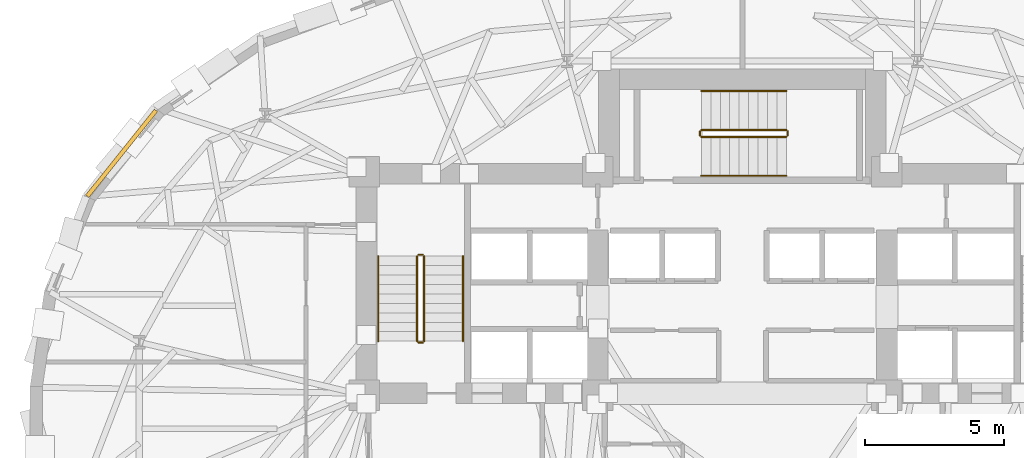
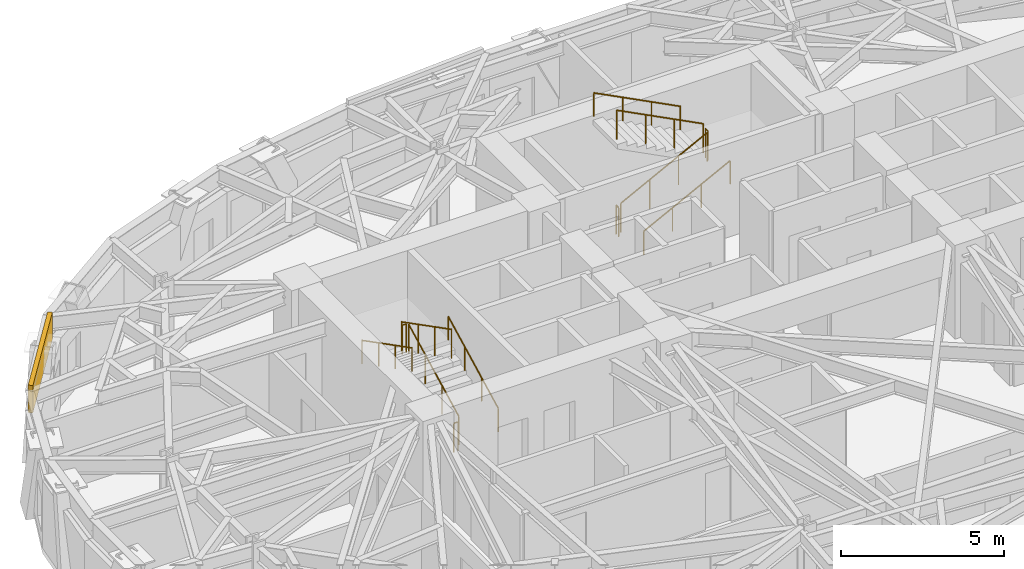
# One storey, part 12 of 14: 12 railings, 1 covering.
"""IFC4 building model written with IfcOpenShell, lengths in metres."""

from ifc_helpers import new_model, si_unit, direction, frame, origin, origin_2d, place, context, subcontext, project, spatial, rectangle, circle, extrude, material, layer, layer_set, type_object, element, save


model = new_model("IFC4")

# Units and contexts
model_context = context("Model", 3, precision=1e-05, world=origin(), true_north=direction((0.0, 1.0)))
body_context = subcontext(model_context, "Body", "Model", "MODEL_VIEW")
ifc_project = project(units=[si_unit("LENGTHUNIT", "METRE"), si_unit("AREAUNIT", "SQUARE_METRE"), si_unit("VOLUMEUNIT", "CUBIC_METRE"), si_unit("PLANEANGLEUNIT", "RADIAN"), si_unit("MASSUNIT", "GRAM", prefix="KILO")], contexts=[model_context])

# Site, building, storey
site_placement = place(None, origin())
site = spatial("IfcSite", under=ifc_project, at=site_placement, CompositionType="ELEMENT")
building_placement = place(site_placement, origin())
building = spatial("IfcBuilding", under=site, at=building_placement, Name="Keldmark Tower", CompositionType="ELEMENT")
storey_placement = place(building_placement, frame((0.0, 0.0, 128.10009765625)))
storey = spatial("IfcBuildingStorey", under=building, at=storey_placement, Name="L34", CompositionType="ELEMENT", Elevation=128.10009765625)

# Covering
ifc_material_1 = material(Name="Honed Kasota Buff Dolomitic Limestone", Category="masonry")
ifc_layer = layer(ifc_material_1, 0.074951171875)
ifc_layer_set = layer_set([ifc_layer], Name="Honed Kasota Buff Dolomitic Limestone")
covering_type = type_object("IfcCoveringType", Name="Kasota Buff Limestone Spandrel Cladding Band", PredefinedType="CLADDING", material=ifc_layer_set)
covering_placement = place(storey_placement, frame((-22.3349609375, 10.1083984375, 2.45166015625), z_axis=(0.0, 0.0, 1.0), x_axis=(-0.625160926426, -0.780495878317, 0.0)))
element("IfcCovering", 1, at=covering_placement, inside=storey, type_object=covering_type, Name="L34 Kasota Limestone Spandrel Band 13", PredefinedType="CLADDING", context=body_context, shape_type="SweptSolid", body=[
    extrude(rectangle(XDim=3.954345703125, YDim=0.14990234375, at=origin_2d()), origin(), (0.0, 0.0, 1.0), 1.028076171875),
])

# Railings
ifc_material_2 = material(Name="Painted Steel ASTM A500 Grade B", Category="steel")
railing_type_1 = type_object("IfcRailingType", Name="Painted Steel Stair Well Guard 1100 mm", PredefinedType="GUARDRAIL", material=ifc_material_2)
railing_1_placement = place(storey_placement, frame((-11.449951171875, 3.35009765625, 0.1748046875)))
element("IfcRailing", 2, at=railing_1_placement, inside=storey, type_object=railing_type_1, Name="L34 ST1 stair guard 1", PredefinedType="GUARDRAIL", context=body_context, shape_type="SweptSolid", body=[
    extrude(circle(Radius=0.02392578125, at=origin_2d()), frame((0.0, 0.0, 1.076171875), z_axis=(0.0, 0.889101422983, 0.457710235465), x_axis=(-1.0, 0.0, 0.0)), (0.0, 0.0, 1.0), 3.44140625),
    extrude(circle(Radius=0.02099609375, at=origin_2d()), origin(), (0.0, 0.0, 1.0), 1.052001953125),
    extrude(circle(Radius=0.02099609375, at=origin_2d()), frame((0.0, 1.02001953125, 0.525146484375)), (0.0, 0.0, 1.0), 1.052001953125),
    extrude(circle(Radius=0.02099609375, at=origin_2d()), frame((0.0, 2.039794921875, 1.050048828125)), (0.0, 0.0, 1.0), 1.052001953125),
    extrude(circle(Radius=0.02099609375, at=origin_2d()), frame((0.0, 3.059814453125, 1.5751953125)), (0.0, 0.0, 1.0), 1.052001953125),
])
railing_2_placement = place(storey_placement, frame((-11.5, 6.4599609375, 1.75)))
element("IfcRailing", 3, at=railing_2_placement, inside=storey, type_object=railing_type_1, Name="L34 ST1 stair guard 2", PredefinedType="GUARDRAIL", context=body_context, shape_type="SweptSolid", body=[
    extrude(circle(Radius=0.02392578125, at=origin_2d()), frame((0.0, 0.0, 1.076171875), z_axis=(-1.0, 0.0, 0.0), x_axis=(0.0, -1.0, 0.0)), (0.0, 0.0, 1.0), 0.14990234375),
    extrude(circle(Radius=0.02099609375, at=origin_2d()), origin(), (0.0, 0.0, 1.0), 1.052001953125),
    extrude(circle(Radius=0.02099609375, at=origin_2d()), frame((-0.14990234375, 0.0, 0.0)), (0.0, 0.0, 1.0), 1.052001953125),
])
railing_3_placement = place(storey_placement, frame((-11.699951171875, 6.409912109375, 1.9248046875)))
element("IfcRailing", 4, at=railing_3_placement, inside=storey, type_object=railing_type_1, Name="L34 ST1 stair guard 3", PredefinedType="GUARDRAIL", context=body_context, shape_type="SweptSolid", body=[
    extrude(circle(Radius=0.02392578125, at=origin_2d()), frame((0.0, 0.0, 1.076171875), z_axis=(0.0, -0.889101422983, 0.457710235465), x_axis=(1.0, 0.0, 0.0)), (0.0, 0.0, 1.0), 3.44140625),
    extrude(circle(Radius=0.02099609375, at=origin_2d()), origin(), (0.0, 0.0, 1.0), 1.052001953125),
    extrude(circle(Radius=0.02099609375, at=origin_2d()), frame((0.0, -1.02001953125, 0.525146484375)), (0.0, 0.0, 1.0), 1.052001953125),
    extrude(circle(Radius=0.02099609375, at=origin_2d()), frame((0.0, -2.039794921875, 1.050048828125)), (0.0, 0.0, 1.0), 1.052001953125),
    extrude(circle(Radius=0.02099609375, at=origin_2d()), frame((0.0, -3.059814453125, 1.5751953125)), (0.0, 0.0, 1.0), 1.052001953125),
])
railing_4_placement = place(storey_placement, frame((-11.5, 3.300048828125, 0.0)))
element("IfcRailing", 5, at=railing_4_placement, inside=storey, type_object=railing_type_1, Name="L34 ST1 stair guard 4", PredefinedType="GUARDRAIL", context=body_context, shape_type="SweptSolid", body=[
    extrude(circle(Radius=0.02392578125, at=origin_2d()), frame((0.0, 0.0, 1.076171875), z_axis=(-1.0, 0.0, 0.0), x_axis=(0.0, -1.0, 0.0)), (0.0, 0.0, 1.0), 0.14990234375),
    extrude(circle(Radius=0.02099609375, at=origin_2d()), origin(), (0.0, 0.0, 1.0), 1.052001953125),
    extrude(circle(Radius=0.02099609375, at=origin_2d()), frame((-0.14990234375, 0.0, 0.0)), (0.0, 0.0, 1.0), 1.052001953125),
])
railing_5_placement = place(storey_placement, frame((-1.47509765625, 10.699951171875, 0.1748046875)))
element("IfcRailing", 6, at=railing_5_placement, inside=storey, type_object=railing_type_1, Name="L34 ST3 stair guard 1", PredefinedType="GUARDRAIL", context=body_context, shape_type="SweptSolid", body=[
    extrude(circle(Radius=0.02392578125, at=origin_2d()), frame((0.0, 0.0, 1.076171875), z_axis=(0.889116283586, 0.0, 0.457681367616), x_axis=(0.0, 1.0, 0.0)), (0.0, 0.0, 1.0), 3.441650390625),
    extrude(circle(Radius=0.02099609375, at=origin_2d()), origin(), (0.0, 0.0, 1.0), 1.052001953125),
    extrude(circle(Radius=0.02099609375, at=origin_2d()), frame((1.02001953125, 0.0, 0.525146484375)), (0.0, 0.0, 1.0), 1.052001953125),
    extrude(circle(Radius=0.02099609375, at=origin_2d()), frame((2.0400390625, 0.0, 1.050048828125)), (0.0, 0.0, 1.0), 1.052001953125),
    extrude(circle(Radius=0.02099609375, at=origin_2d()), frame((3.06005859375, 0.0, 1.5751953125)), (0.0, 0.0, 1.0), 1.052001953125),
])
railing_6_placement = place(storey_placement, frame((1.635009765625, 10.75, 1.75)))
element("IfcRailing", 7, at=railing_6_placement, inside=storey, type_object=railing_type_1, Name="L34 ST3 stair guard 2", PredefinedType="GUARDRAIL", context=body_context, shape_type="SweptSolid", body=[
    extrude(circle(Radius=0.02392578125, at=origin_2d()), frame((0.0, 0.0, 1.076171875), z_axis=(0.0, 1.0, 0.0), x_axis=(-1.0, 0.0, 0.0)), (0.0, 0.0, 1.0), 0.14990234375),
    extrude(circle(Radius=0.02099609375, at=origin_2d()), origin(), (0.0, 0.0, 1.0), 1.052001953125),
    extrude(circle(Radius=0.02099609375, at=origin_2d()), frame((0.0, 0.14990234375, 0.0)), (0.0, 0.0, 1.0), 1.052001953125),
])
railing_7_placement = place(storey_placement, frame((1.5849609375, 10.949951171875, 1.9248046875)))
element("IfcRailing", 8, at=railing_7_placement, inside=storey, type_object=railing_type_1, Name="L34 ST3 stair guard 3", PredefinedType="GUARDRAIL", context=body_context, shape_type="SweptSolid", body=[
    extrude(circle(Radius=0.02392578125, at=origin_2d()), frame((0.0, 0.0, 1.076171875), z_axis=(-0.889116283586, 0.0, 0.457681367616), x_axis=(0.0, -1.0, 0.0)), (0.0, 0.0, 1.0), 3.441650390625),
    extrude(circle(Radius=0.02099609375, at=origin_2d()), origin(), (0.0, 0.0, 1.0), 1.052001953125),
    extrude(circle(Radius=0.02099609375, at=origin_2d()), frame((-1.02001953125, 0.0, 0.525146484375)), (0.0, 0.0, 1.0), 1.052001953125),
    extrude(circle(Radius=0.02099609375, at=origin_2d()), frame((-2.0400390625, 0.0, 1.050048828125)), (0.0, 0.0, 1.0), 1.052001953125),
    extrude(circle(Radius=0.02099609375, at=origin_2d()), frame((-3.06005859375, 0.0, 1.5751953125)), (0.0, 0.0, 1.0), 1.052001953125),
])
railing_8_placement = place(storey_placement, frame((-1.52490234375, 10.75, 0.0)))
element("IfcRailing", 9, at=railing_8_placement, inside=storey, type_object=railing_type_1, Name="L34 ST3 stair guard 4", PredefinedType="GUARDRAIL", context=body_context, shape_type="SweptSolid", body=[
    extrude(circle(Radius=0.02392578125, at=origin_2d()), frame((0.0, 0.0, 1.076171875), z_axis=(0.0, 1.0, 0.0), x_axis=(-1.0, 0.0, 0.0)), (0.0, 0.0, 1.0), 0.14990234375),
    extrude(circle(Radius=0.02099609375, at=origin_2d()), origin(), (0.0, 0.0, 1.0), 1.052001953125),
    extrude(circle(Radius=0.02099609375, at=origin_2d()), frame((0.0, 0.14990234375, 0.0)), (0.0, 0.0, 1.0), 1.052001953125),
])
ifc_material_3 = material(Name="Stainless Steel AISI 316L", Category="steel")
railing_type_2 = type_object("IfcRailingType", Name="Stainless Steel Stair Handrail 900 mm", PredefinedType="HANDRAIL", material=ifc_material_3)
railing_9_placement = place(storey_placement, frame((-10.050048828125, 3.35009765625, 0.1748046875)))
element("IfcRailing", 10, at=railing_9_placement, inside=storey, type_object=railing_type_2, Name="L34 ST1 stair handrail 1", PredefinedType="HANDRAIL", context=body_context, shape_type="SweptSolid", body=[
    extrude(circle(Radius=0.02392578125, at=origin_2d()), frame((0.0, 0.0, 0.8759765625), z_axis=(0.0, 0.889101422983, 0.457710235465), x_axis=(-1.0, 0.0, 0.0)), (0.0, 0.0, 1.0), 3.44140625),
    extrude(circle(Radius=0.02099609375, at=origin_2d()), origin(), (0.0, 0.0, 1.0), 0.851806640625),
    extrude(circle(Radius=0.02099609375, at=origin_2d()), frame((0.0, 1.02001953125, 0.525146484375)), (0.0, 0.0, 1.0), 0.851806640625),
    extrude(circle(Radius=0.02099609375, at=origin_2d()), frame((0.0, 2.039794921875, 1.050048828125)), (0.0, 0.0, 1.0), 0.851806640625),
    extrude(circle(Radius=0.02099609375, at=origin_2d()), frame((0.0, 3.059814453125, 1.5751953125)), (0.0, 0.0, 1.0), 0.851806640625),
])
railing_10_placement = place(storey_placement, frame((-13.10009765625, 6.409912109375, 1.9248046875)))
element("IfcRailing", 11, at=railing_10_placement, inside=storey, type_object=railing_type_2, Name="L34 ST1 stair handrail 2", PredefinedType="HANDRAIL", context=body_context, shape_type="SweptSolid", body=[
    extrude(circle(Radius=0.02392578125, at=origin_2d()), frame((0.0, 0.0, 0.8759765625), z_axis=(0.0, -0.889101422983, 0.457710235465), x_axis=(1.0, 0.0, 0.0)), (0.0, 0.0, 1.0), 3.44140625),
    extrude(circle(Radius=0.02099609375, at=origin_2d()), origin(), (0.0, 0.0, 1.0), 0.851806640625),
    extrude(circle(Radius=0.02099609375, at=origin_2d()), frame((0.0, -1.02001953125, 0.525146484375)), (0.0, 0.0, 1.0), 0.851806640625),
    extrude(circle(Radius=0.02099609375, at=origin_2d()), frame((0.0, -2.039794921875, 1.050048828125)), (0.0, 0.0, 1.0), 0.851806640625),
    extrude(circle(Radius=0.02099609375, at=origin_2d()), frame((0.0, -3.059814453125, 1.5751953125)), (0.0, 0.0, 1.0), 0.851806640625),
])
railing_11_placement = place(storey_placement, frame((-1.47509765625, 9.300048828125, 0.1748046875)))
element("IfcRailing", 12, at=railing_11_placement, inside=storey, type_object=railing_type_2, Name="L34 ST3 stair handrail 1", PredefinedType="HANDRAIL", context=body_context, shape_type="SweptSolid", body=[
    extrude(circle(Radius=0.02392578125, at=origin_2d()), frame((0.0, 0.0, 0.8759765625), z_axis=(0.889116283586, 0.0, 0.457681367616), x_axis=(0.0, 1.0, 0.0)), (0.0, 0.0, 1.0), 3.441650390625),
    extrude(circle(Radius=0.02099609375, at=origin_2d()), origin(), (0.0, 0.0, 1.0), 0.851806640625),
    extrude(circle(Radius=0.02099609375, at=origin_2d()), frame((1.02001953125, 0.0, 0.525146484375)), (0.0, 0.0, 1.0), 0.851806640625),
    extrude(circle(Radius=0.02099609375, at=origin_2d()), frame((2.0400390625, 0.0, 1.050048828125)), (0.0, 0.0, 1.0), 0.851806640625),
    extrude(circle(Radius=0.02099609375, at=origin_2d()), frame((3.06005859375, 0.0, 1.5751953125)), (0.0, 0.0, 1.0), 0.851806640625),
])
railing_12_placement = place(storey_placement, frame((1.5849609375, 12.35009765625, 1.9248046875)))
element("IfcRailing", 13, at=railing_12_placement, inside=storey, type_object=railing_type_2, Name="L34 ST3 stair handrail 2", PredefinedType="HANDRAIL", context=body_context, shape_type="SweptSolid", body=[
    extrude(circle(Radius=0.02392578125, at=origin_2d()), frame((0.0, 0.0, 0.8759765625), z_axis=(-0.889116283586, 0.0, 0.457681367616), x_axis=(0.0, -1.0, 0.0)), (0.0, 0.0, 1.0), 3.441650390625),
    extrude(circle(Radius=0.02099609375, at=origin_2d()), origin(), (0.0, 0.0, 1.0), 0.851806640625),
    extrude(circle(Radius=0.02099609375, at=origin_2d()), frame((-1.02001953125, 0.0, 0.525146484375)), (0.0, 0.0, 1.0), 0.851806640625),
    extrude(circle(Radius=0.02099609375, at=origin_2d()), frame((-2.0400390625, 0.0, 1.050048828125)), (0.0, 0.0, 1.0), 0.851806640625),
    extrude(circle(Radius=0.02099609375, at=origin_2d()), frame((-3.06005859375, 0.0, 1.5751953125)), (0.0, 0.0, 1.0), 0.851806640625),
])

save(model, "model.ifc")
